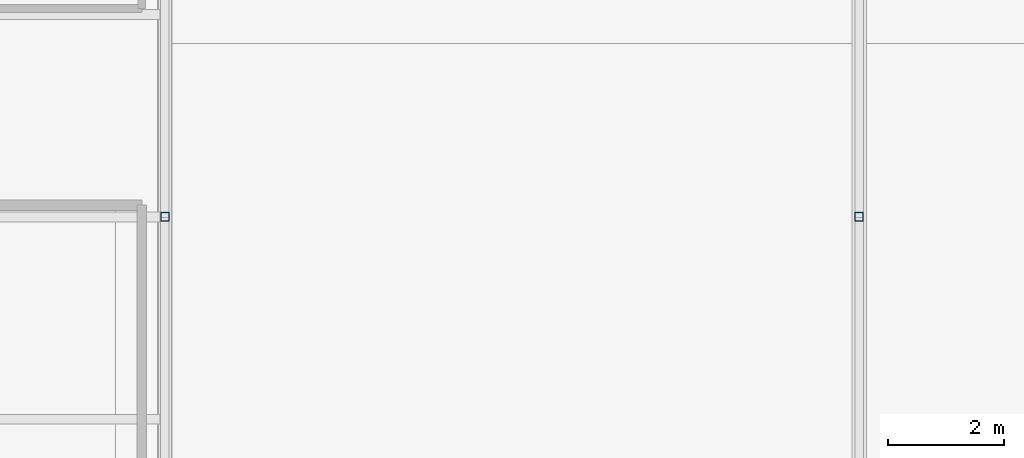
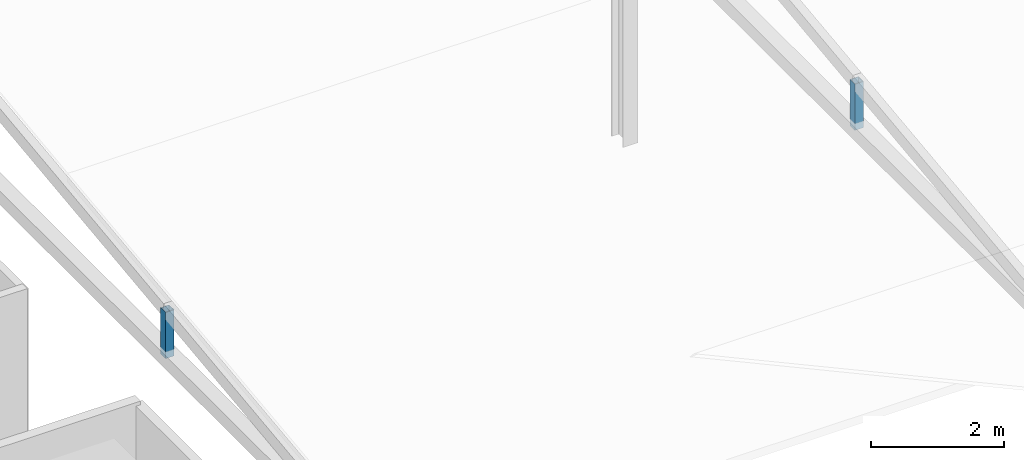
# One storey, part 80 of 104: 2 members.
"""IFC4 building model written with IfcOpenShell, lengths in metres."""

from ifc_helpers import new_model, si_unit, direction, frame, origin, origin_2d, place, context, subcontext, project, spatial, hollow_rectangle, extrude, material, material_profile, profile_set, type_object, element, save


model = new_model("IFC4")

# Units and contexts
model_context = context("Model", 3, precision=1e-05, world=origin(), true_north=direction((0.0, 1.0)))
body_context = subcontext(model_context, "Body", "Model", "MODEL_VIEW")
ifc_project = project(units=[si_unit("LENGTHUNIT", "METRE"), si_unit("AREAUNIT", "SQUARE_METRE"), si_unit("VOLUMEUNIT", "CUBIC_METRE"), si_unit("PLANEANGLEUNIT", "RADIAN"), si_unit("MASSUNIT", "GRAM", prefix="KILO")], contexts=[model_context])

# Site, building, storey
site_placement = place(None, origin())
site = spatial("IfcSite", under=ifc_project, at=site_placement, CompositionType="ELEMENT")
building_placement = place(site_placement, origin())
building = spatial("IfcBuilding", under=site, at=building_placement, Name="Solvenia Promenade Tram Depot", CompositionType="ELEMENT")
storey_placement = place(building_placement, frame((0.0, 0.0, 9.0)))
storey = spatial("IfcBuildingStorey", under=building, at=storey_placement, Name="L02", CompositionType="ELEMENT", Elevation=9.0)

# Members
ifc_material = material(Name="Structural steel ASTM A500 Gr. C", Category="steel")
ifc_material_profile = material_profile(ifc_material, hollow_rectangle(XDim=0.14990234375, YDim=0.14990234375, WallThickness=0.008056640625, at=origin_2d()), Name="HSS150x150x8", Category="steel")
ifc_profile_set = profile_set([ifc_material_profile], Name="Structural steel ASTM A500 Gr. C")
member_type = type_object("IfcMemberType", Name="Post-HSS150x150x8", PredefinedType="POST", material=ifc_profile_set)
for number, where, z_axis, x_axis, name in (
    (1, (162.0, 45.0, 4.47998046875), (0.0, 0.0, 1.0), (1.0, 0.0, 0.0), "Workshop Sawtooth Mid Post 1-08"),
    (2, (174.0, 45.0, 4.47998046875), (0.0, 0.0, 1.0), (1.0, 0.0, 0.0), "Workshop Sawtooth Mid Post 1-09"),
):
    element("IfcMember", number, at=place(storey_placement, frame(where, z_axis=z_axis, x_axis=x_axis)), inside=storey, type_object=member_type, Name=name, PredefinedType="POST", context=body_context, shape_type="SweptSolid", body=[
        extrude(hollow_rectangle(XDim=0.14990234375, YDim=0.14990234375, WallThickness=0.008056640625, at=origin_2d()), origin(), (0.0, 0.0, 1.0), 0.85009765625),
    ])

save(model, "model.ifc")
